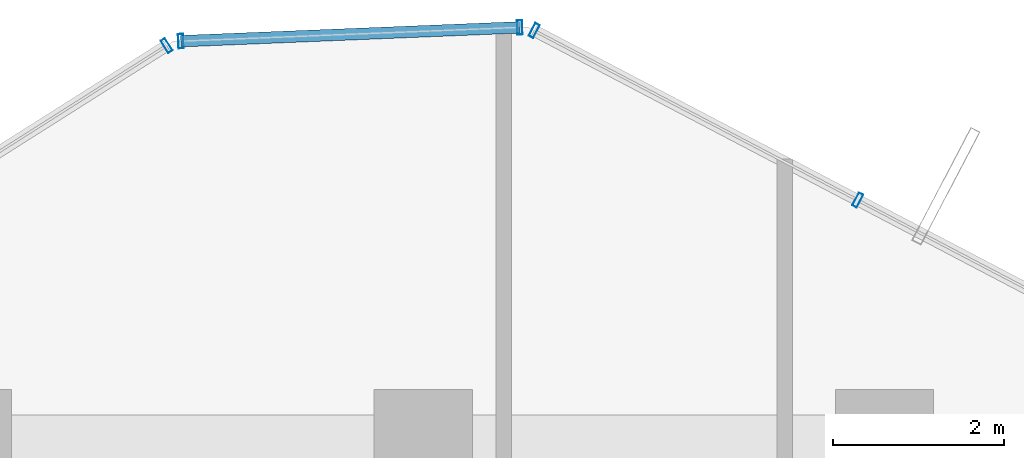
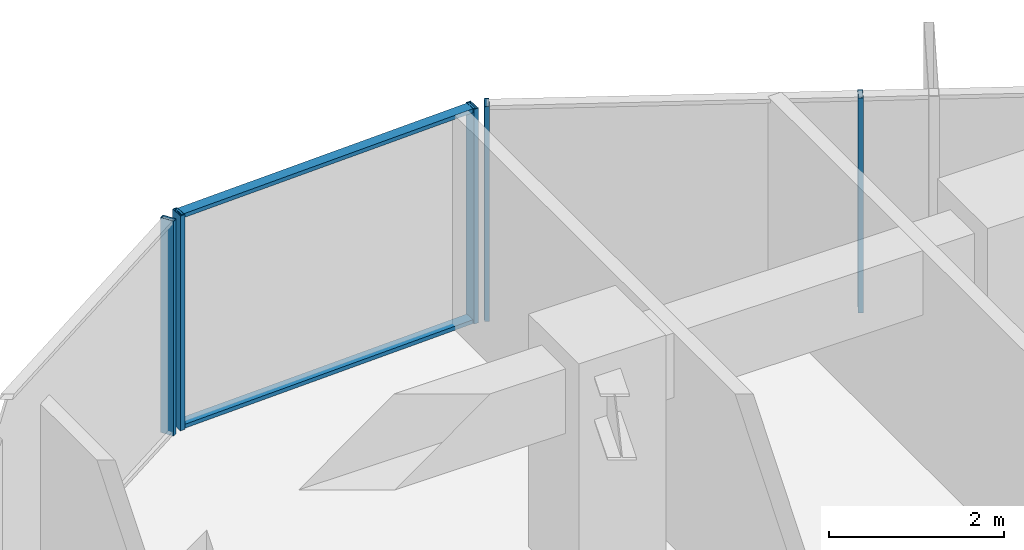
# One storey, part 24 of 32: 7 members, 3 elements without a shape of their own.
"""IFC4 building model written with IfcOpenShell, lengths in metres."""

from ifc_helpers import new_model, si_unit, direction, frame, origin, origin_2d, place, context, subcontext, project, spatial, hollow_rectangle, extrude, source, transform, mapped, material, layer, layer_set, material_profile, profile_set, type_object, element, aggregate, save


model = new_model("IFC4")

# Units and contexts
model_context = context("Model", 3, precision=1e-05, world=origin(), true_north=direction((0.0, 1.0)))
body_context = subcontext(model_context, "Body", "Model", "MODEL_VIEW")
ifc_project = project(units=[si_unit("LENGTHUNIT", "METRE"), si_unit("AREAUNIT", "SQUARE_METRE"), si_unit("VOLUMEUNIT", "CUBIC_METRE"), si_unit("PLANEANGLEUNIT", "RADIAN"), si_unit("MASSUNIT", "GRAM", prefix="KILO")], contexts=[model_context])

# Site, building, storey
site_placement = place(None, origin())
site = spatial("IfcSite", under=ifc_project, at=site_placement, CompositionType="ELEMENT")
building_placement = place(site_placement, origin())
building = spatial("IfcBuilding", under=site, at=building_placement, Name="Veraguas Prism Commons", CompositionType="ELEMENT")
storey_placement = place(building_placement, frame((0.0, 0.0, 136.0)))
storey = spatial("IfcBuildingStorey", under=building, at=storey_placement, Name="L38", CompositionType="ELEMENT", Elevation=136.0)

# Curtain wall, members
ifc_material = material(Name="Anodised aluminium EN AW-6063 T6", Category="aluminium")
ifc_layer = layer(ifc_material, 0.169921875, Name="Unitised Flush Curtain Wall Zone 2", Category="aluminium")
ifc_layer_set = layer_set([ifc_layer], Name="Anodised aluminium EN AW-6063 T6")
curtain_wall_type = type_object("IfcCurtainWallType", Name="Unitised Flush Curtain Wall Zone 2", PredefinedType="NOTDEFINED", material=ifc_layer_set)
curtain_wall_1_placement = place(storey_placement, origin())
curtain_wall_1 = element("IfcCurtainWall", 1, at=curtain_wall_1_placement, inside=storey, type_object=curtain_wall_type, Name="Tower Facade Curtain Wall L38-F1", PredefinedType="NOTDEFINED")
ifc_material_profile_1 = material_profile(ifc_material, hollow_rectangle(XDim=0.06005859375, YDim=0.169921875, WallThickness=0.00390625, at=origin_2d()), Name="AL60X170X4")
ifc_profile_set_1 = profile_set([ifc_material_profile_1], Name="Anodised aluminium EN AW-6063 T6")
member_type_1 = type_object("IfcMemberType", Name="Curtain Wall Mullion Lower AL 60x170x4", PredefinedType="MULLION", material=ifc_profile_set_1)
shared_shape_1 = source(origin(), body_context, "Body", "SweptSolid", [
    extrude(hollow_rectangle(XDim=0.06005859375, YDim=0.169921875, WallThickness=0.00390625, at=origin_2d()), origin(), (0.0, 0.0, 1.0), 3.0),
])
member_1_placement = place(storey_placement, frame((29.088623046875, 42.990478515625, 0.0), z_axis=(0.0, 0.0, 1.0), x_axis=(-0.885721982014, 0.464216081773, 0.0)))
member_1 = element("IfcMember", 2, at=member_1_placement, type_object=member_type_1, Name="CW-Z2 Mullion 4", PredefinedType="MULLION", context=body_context, shape_type="MappedRepresentation", body=[
    mapped(shared_shape_1, transform((0.0, 0.0, 0.0), scale=1.0)),
])
member_2_placement = place(storey_placement, frame((25.299072265625, 44.9765625, 0.0), z_axis=(0.0, 0.0, 1.0), x_axis=(-0.885721982014, 0.464216081773, 0.0)))
member_2 = element("IfcMember", 3, at=member_2_placement, type_object=member_type_1, Name="CW-Z2 Mullion 5", PredefinedType="MULLION", context=body_context, shape_type="MappedRepresentation", body=[
    mapped(shared_shape_1, transform((0.0, 0.0, 0.0), scale=1.0)),
])
aggregate(curtain_wall_1, [member_1, member_2])

# Curtain wall, member
curtain_wall_2_placement = place(storey_placement, origin())
curtain_wall_2 = element("IfcCurtainWall", 4, at=curtain_wall_2_placement, inside=storey, type_object=curtain_wall_type, Name="Tower Facade Curtain Wall L38-F2", PredefinedType="NOTDEFINED")
member_3_placement = place(storey_placement, frame((20.99365234375, 44.800537109375, 0.0), z_axis=(0.0, 0.0, 1.0), x_axis=(-0.844887645301, -0.534943797813, 0.0)))
member_3 = element("IfcMember", 5, at=member_3_placement, type_object=member_type_1, Name="CW-Z2 Mullion 1", PredefinedType="MULLION", context=body_context, shape_type="MappedRepresentation", body=[
    mapped(shared_shape_1, transform((0.0, 0.0, 0.0), scale=1.0)),
])
aggregate(curtain_wall_2, [member_3])

# Curtain wall, members
curtain_wall_3_placement = place(storey_placement, origin())
curtain_wall_3 = element("IfcCurtainWall", 6, at=curtain_wall_3_placement, inside=storey, type_object=curtain_wall_type, Name="Chamfer Curtain Wall L38-C2", PredefinedType="NOTDEFINED")
member_4_placement = place(storey_placement, frame((25.129638671875, 45.0146484375, 0.0), z_axis=(0.0, 0.0, 1.0), x_axis=(-0.999166918026, -0.040810169358, 0.0)))
member_4 = element("IfcMember", 7, at=member_4_placement, type_object=member_type_1, Name="CW-Z2 Mullion 1", PredefinedType="MULLION", context=body_context, shape_type="MappedRepresentation", body=[
    mapped(shared_shape_1, transform((0.0, 0.0, 0.0), scale=1.0)),
])
member_5_placement = place(storey_placement, frame((21.15966796875, 44.8525390625, 0.0), z_axis=(0.0, 0.0, 1.0), x_axis=(-0.999166918026, -0.040810169358, 0.0)))
member_5 = element("IfcMember", 8, at=member_5_placement, type_object=member_type_1, Name="CW-Z2 Mullion 2", PredefinedType="MULLION", context=body_context, shape_type="MappedRepresentation", body=[
    mapped(shared_shape_1, transform((0.0, 0.0, 0.0), scale=1.0)),
])
ifc_material_profile_2 = material_profile(ifc_material, hollow_rectangle(XDim=0.054931640625, YDim=0.135009765625, WallThickness=0.0029296875, at=origin_2d()), Name="AL55X135X3")
ifc_profile_set_2 = profile_set([ifc_material_profile_2], Name="Anodised aluminium EN AW-6063 T6")
member_type_2 = type_object("IfcMemberType", Name="Curtain Wall Transom Standard AL 55x135x3", PredefinedType="USERDEFINED", material=ifc_profile_set_2)
shared_shape_2 = source(origin(), body_context, "Body", "SweptSolid", [
    extrude(hollow_rectangle(XDim=0.054931640625, YDim=0.135009765625, WallThickness=0.0029296875, at=origin_2d()), origin(), (0.0, 0.0, 1.0), 3.973388671875),
])
member_6_placement = place(storey_placement, frame((25.129638671875, 45.0146484375, 0.027587890625), z_axis=(-0.999167337572, -0.040799896202, 0.0), x_axis=(0.0, 0.0, 1.0)))
member_6 = element("IfcMember", 9, at=member_6_placement, type_object=member_type_2, Name="CW-Z2 Transom 1", ObjectType="TRANSOM", PredefinedType="USERDEFINED", context=body_context, shape_type="MappedRepresentation", body=[
    mapped(shared_shape_2, transform((0.0, 0.0, 0.0), scale=1.0)),
])
member_7_placement = place(storey_placement, frame((25.129638671875, 45.0146484375, 2.972412109375), z_axis=(-0.999167337572, -0.040799896202, 0.0), x_axis=(0.0, 0.0, 1.0)))
member_7 = element("IfcMember", 10, at=member_7_placement, type_object=member_type_2, Name="CW-Z2 Transom 2", ObjectType="TRANSOM", PredefinedType="USERDEFINED", context=body_context, shape_type="MappedRepresentation", body=[
    mapped(shared_shape_2, transform((0.0, 0.0, 0.0), scale=1.0)),
])
aggregate(curtain_wall_3, [member_4, member_5, member_6, member_7])

save(model, "model.ifc")
